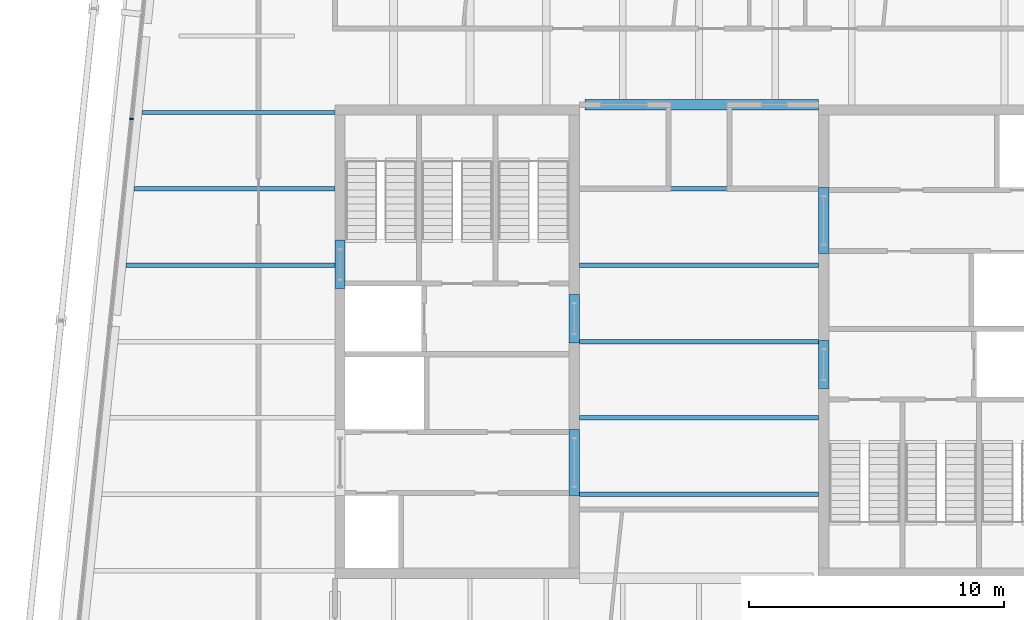
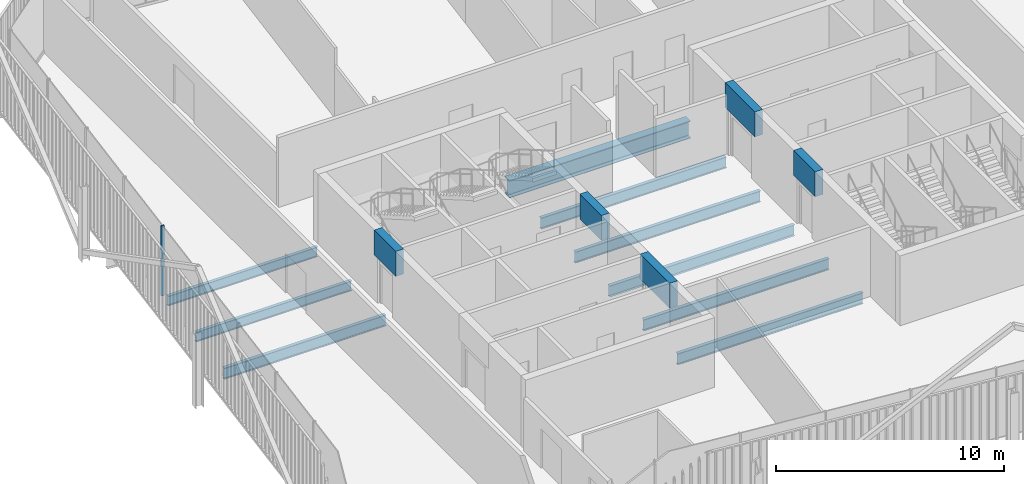
# One storey, part 8 of 21: 14 beams, 1 member, 1 element without a shape of its own.
"""IFC4 building model written with IfcOpenShell, lengths in metres."""

from ifc_helpers import new_model, si_unit, direction, frame, origin, origin_2d, place, context, subcontext, project, spatial, rectangle, i_section, extrude, material, layer, layer_set, material_profile, profile_set, type_object, element, aggregate, save


model = new_model("IFC4")

# Units and contexts
model_context = context("Model", 3, precision=1e-05, world=origin(), true_north=direction((0.0, 1.0)))
body_context = subcontext(model_context, "Body", "Model", "MODEL_VIEW")
ifc_project = project(units=[si_unit("LENGTHUNIT", "METRE"), si_unit("AREAUNIT", "SQUARE_METRE"), si_unit("VOLUMEUNIT", "CUBIC_METRE"), si_unit("PLANEANGLEUNIT", "RADIAN"), si_unit("MASSUNIT", "GRAM", prefix="KILO")], contexts=[model_context])

# Site, building, storey
site_placement = place(None, origin())
site = spatial("IfcSite", under=ifc_project, at=site_placement, CompositionType="ELEMENT")
building_placement = place(site_placement, origin())
building = spatial("IfcBuilding", under=site, at=building_placement, Name="Millrace Tower", CompositionType="ELEMENT")
storey_placement = place(building_placement, frame((0.0, 0.0, 276.0)))
storey = spatial("IfcBuildingStorey", under=building, at=storey_placement, Name="L63", CompositionType="ELEMENT", Elevation=276.0)

# Curtain wall, member
ifc_material_1 = material(Name="Aluminium and glass", Category="aluminium")
ifc_layer = layer(ifc_material_1, 0.14990234375)
ifc_layer_set = layer_set([ifc_layer], Name="Aluminium and glass")
curtain_wall_type = type_object("IfcCurtainWallType", Name="CW-1 office vision curtain wall", PredefinedType="NOTDEFINED", material=ifc_layer_set)
curtain_wall_placement = place(storey_placement, origin())
curtain_wall = element("IfcCurtainWall", 1, at=curtain_wall_placement, inside=storey, type_object=curtain_wall_type, Name="Curtain wall E-F08 L63", PredefinedType="NOTDEFINED")
ifc_material_2 = material(Name="Aluminium", Category="aluminium")
ifc_material_profile_1 = material_profile(ifc_material_2, rectangle(XDim=0.06494140625, YDim=0.14990234375, at=origin_2d()))
ifc_profile_set_1 = profile_set([ifc_material_profile_1], Name="Aluminium")
member_type = type_object("IfcMemberType", Name="CW-1 office vision curtain wall mullion", PredefinedType="MULLION", material=ifc_profile_set_1)
member_placement = place(storey_placement, frame((-22.2890625, 8.742431640625, 0.139892578125), z_axis=(0.0, 0.0, 1.0), x_axis=(-0.104528455196, -0.994521896217, 0.0)))
member = element("IfcMember", 2, at=member_placement, type_object=member_type, Name="CW1 mullion E-F08.5", PredefinedType="MULLION", context=body_context, shape_type="SweptSolid", body=[
    extrude(rectangle(XDim=0.06494140625, YDim=0.14990234375, at=origin_2d()), origin(), (0.0, 0.0, 1.0), 3.760009765625),
])
aggregate(curtain_wall, [member])

# Beams
ifc_material_3 = material(Name="Concrete C60", Category="concrete")
ifc_material_profile_2 = material_profile(ifc_material_3, rectangle(XDim=0.39990234375, YDim=1.340087890625, at=origin_2d()))
ifc_profile_set_2 = profile_set([ifc_material_profile_2], Name="Concrete C60")
beam_type_1 = type_object("IfcBeamType", Name="Coupling beam 400 x 1340 Concrete C60, 1300 opening", PredefinedType="BEAM", material=ifc_profile_set_2)
beam_1_placement = place(storey_placement, frame((-14.10009765625, 2.080078125, 3.070068359375), z_axis=(0.0, 1.0, 0.0), x_axis=(-1.0, 0.0, 0.0)))
element("IfcBeam", 3, at=beam_1_placement, inside=storey, type_object=beam_type_1, Name="Coupling beam W L63", PredefinedType="BEAM", context=body_context, shape_type="SweptSolid", body=[
    extrude(rectangle(XDim=0.39990234375, YDim=1.340087890625, at=origin_2d()), origin(), (0.0, 0.0, 1.0), 1.89990234375),
])
for number, where, z_axis, x_axis, name in (
    (4, (-4.89990234375, -0.050048828125, 3.070068359375), (0.0, 1.0, 0.0), (-1.0, 0.0, 0.0), "Coupling beam W L63"),
    (5, (4.89990234375, 0.050048828125, 3.070068359375), (0.0, -1.0, 0.0), (1.0, 0.0, 0.0), "Coupling beam E L63"),
):
    element("IfcBeam", number, at=place(storey_placement, frame(where, z_axis=z_axis, x_axis=x_axis)), inside=storey, type_object=beam_type_1, Name=name, PredefinedType="BEAM", context=body_context, shape_type="SweptSolid", body=[
        extrude(rectangle(XDim=0.39990234375, YDim=1.340087890625, at=origin_2d()), origin(), (0.0, 0.0, 1.0), 1.900146484375),
    ])
ifc_material_4 = material(Name="Concrete C60", Category="concrete")
ifc_material_profile_3 = material_profile(ifc_material_4, rectangle(XDim=0.39990234375, YDim=1.340087890625, at=origin_2d()))
ifc_profile_set_3 = profile_set([ifc_material_profile_3], Name="Concrete C60")
beam_type_2 = type_object("IfcBeamType", Name="Coupling beam 400 x 1340 Concrete C60, 2000 opening", PredefinedType="BEAM", material=ifc_profile_set_3)
for number, where, z_axis, x_axis, name in (
    (6, (-4.89990234375, -6.050048828125, 3.070068359375), (0.0, 1.0, 0.0), (-1.0, 0.0, 0.0), "Coupling beam W L63"),
    (7, (4.89990234375, 6.050048828125, 3.070068359375), (0.0, -1.0, 0.0), (1.0, 0.0, 0.0), "Coupling beam E L63"),
):
    element("IfcBeam", number, at=place(storey_placement, frame(where, z_axis=z_axis, x_axis=x_axis)), inside=storey, type_object=beam_type_2, Name=name, PredefinedType="BEAM", context=body_context, shape_type="SweptSolid", body=[
        extrude(rectangle(XDim=0.39990234375, YDim=1.340087890625, at=origin_2d()), origin(), (0.0, 0.0, 1.0), 2.60009765625),
    ])
ifc_material_5 = material(Name="Steel ASTM A992 Grade 50", Category="steel")
ifc_material_profile_4 = material_profile(ifc_material_5, i_section(OverallWidth=0.1650390625, OverallDepth=0.52587890625, WebThickness=0.0087890625, FlangeThickness=0.011474609375, FilletRadius=0.0126953125, at=origin_2d()))
ifc_profile_set_4 = profile_set([ifc_material_profile_4], Name="Steel ASTM A992 Grade 50")
beam_type_3 = type_object("IfcBeamType", Name="Floor beam W21x44", PredefinedType="JOIST", material=ifc_profile_set_4)
beam_2_placement = place(storey_placement, frame((-22.19287109375, 6.0, -0.4228515625), z_axis=(1.0, 0.0, 0.0), x_axis=(0.0, 1.0, 0.0)))
element("IfcBeam", 8, at=beam_2_placement, inside=storey, type_object=beam_type_3, Name="BM-E-L63-S1-S021", PredefinedType="JOIST", context=body_context, shape_type="SweptSolid", body=[
    extrude(i_section(OverallWidth=0.1650390625, OverallDepth=0.52587890625, WebThickness=0.0087890625, FlangeThickness=0.011474609375, FilletRadius=0.0126953125, at=origin_2d()), origin(), (0.0, 0.0, 1.0), 7.892822265625),
])
beam_3_placement = place(storey_placement, frame((-21.87744140625, 9.0, -0.4228515625), z_axis=(1.0, 0.0, 0.0), x_axis=(0.0, 1.0, 0.0)))
element("IfcBeam", 9, at=beam_3_placement, inside=storey, type_object=beam_type_3, Name="BM-E-L63-S1-S023", PredefinedType="JOIST", context=body_context, shape_type="SweptSolid", body=[
    extrude(i_section(OverallWidth=0.1650390625, OverallDepth=0.52587890625, WebThickness=0.0087890625, FlangeThickness=0.011474609375, FilletRadius=0.0126953125, at=origin_2d()), origin(), (0.0, 0.0, 1.0), 7.577392578125),
])
ifc_material_6 = material(Name="Steel ASTM A992 Grade 50", Category="steel")
ifc_material_profile_5 = material_profile(ifc_material_6, i_section(OverallWidth=0.177978515625, OverallDepth=0.599365234375, WebThickness=0.010009765625, FlangeThickness=0.012939453125, FilletRadius=0.012939453125, at=origin_2d()))
ifc_profile_set_5 = profile_set([ifc_material_profile_5], Name="Steel ASTM A992 Grade 50")
beam_type_4 = type_object("IfcBeamType", Name="Floor beam W24x55", PredefinedType="JOIST", material=ifc_profile_set_5)
for number, where, z_axis, x_axis, name in (
    (10, (-4.699951171875, -6.0, -0.459716796875), (1.0, 0.0, 0.0), (0.0, 1.0, 0.0), "BM-E-L63-S1-S008"),
    (11, (-4.699951171875, -3.0, -0.459716796875), (1.0, 0.0, 0.0), (0.0, 1.0, 0.0), "BM-E-L63-S1-S011"),
    (12, (-4.699951171875, 0.0, -0.459716796875), (1.0, 0.0, 0.0), (0.0, 1.0, 0.0), "BM-E-L63-S1-S014"),
    (13, (-4.699951171875, 3.0, -0.459716796875), (1.0, 0.0, 0.0), (0.0, 1.0, 0.0), "BM-E-L63-S1-S017"),
):
    element("IfcBeam", number, at=place(storey_placement, frame(where, z_axis=z_axis, x_axis=x_axis)), inside=storey, type_object=beam_type_4, Name=name, PredefinedType="JOIST", context=body_context, shape_type="SweptSolid", body=[
        extrude(i_section(OverallWidth=0.177978515625, OverallDepth=0.599365234375, WebThickness=0.010009765625, FlangeThickness=0.012939453125, FilletRadius=0.012939453125, at=origin_2d()), origin(), (0.0, 0.0, 1.0), 9.39990234375),
    ])
beam_4_placement = place(storey_placement, frame((-22.508056640625, 3.0, -0.459716796875), z_axis=(1.0, 0.0, 0.0), x_axis=(0.0, 1.0, 0.0)))
element("IfcBeam", 14, at=beam_4_placement, inside=storey, type_object=beam_type_4, Name="BM-E-L63-S1-S018", PredefinedType="JOIST", context=body_context, shape_type="SweptSolid", body=[
    extrude(i_section(OverallWidth=0.177978515625, OverallDepth=0.599365234375, WebThickness=0.010009765625, FlangeThickness=0.012939453125, FilletRadius=0.012939453125, at=origin_2d()), origin(), (0.0, 0.0, 1.0), 8.2080078125),
])
beam_5_placement = place(storey_placement, frame((-4.699951171875, 6.0, -0.459716796875), z_axis=(1.0, 0.0, 0.0), x_axis=(0.0, 1.0, 0.0)))
element("IfcBeam", 15, at=beam_5_placement, inside=storey, type_object=beam_type_4, Name="BM-E-L63-S1-S020", PredefinedType="JOIST", context=body_context, shape_type="SweptSolid", body=[
    extrude(i_section(OverallWidth=0.177978515625, OverallDepth=0.599365234375, WebThickness=0.010009765625, FlangeThickness=0.012939453125, FilletRadius=0.012939453125, at=origin_2d()), origin(), (0.0, 0.0, 1.0), 9.39990234375),
])
ifc_material_7 = material(Name="Steel ASTM A992 Grade 50", Category="steel")
ifc_material_profile_6 = material_profile(ifc_material_7, i_section(OverallWidth=0.419189453125, OverallDepth=0.927001953125, WebThickness=0.019287109375, FlangeThickness=0.031982421875, FilletRadius=0.024169921875, at=origin_2d()))
ifc_profile_set_6 = profile_set([ifc_material_profile_6], Name="Steel ASTM A992 Grade 50")
beam_type_5 = type_object("IfcBeamType", Name="Girder short span W36x231", PredefinedType="BEAM", material=ifc_profile_set_6)
beam_6_placement = place(storey_placement, frame((-4.487548828125, 9.300048828125, -0.62353515625), z_axis=(1.0, 0.0, 0.0), x_axis=(0.0, 1.0, 0.0)))
element("IfcBeam", 16, at=beam_6_placement, inside=storey, type_object=beam_type_5, Name="BM-E-L63-S1-G058", PredefinedType="BEAM", context=body_context, shape_type="SweptSolid", body=[
    extrude(i_section(OverallWidth=0.419189453125, OverallDepth=0.927001953125, WebThickness=0.019287109375, FlangeThickness=0.031982421875, FilletRadius=0.024169921875, at=origin_2d()), origin(), (0.0, 0.0, 1.0), 9.1875),
])

save(model, "model.ifc")
